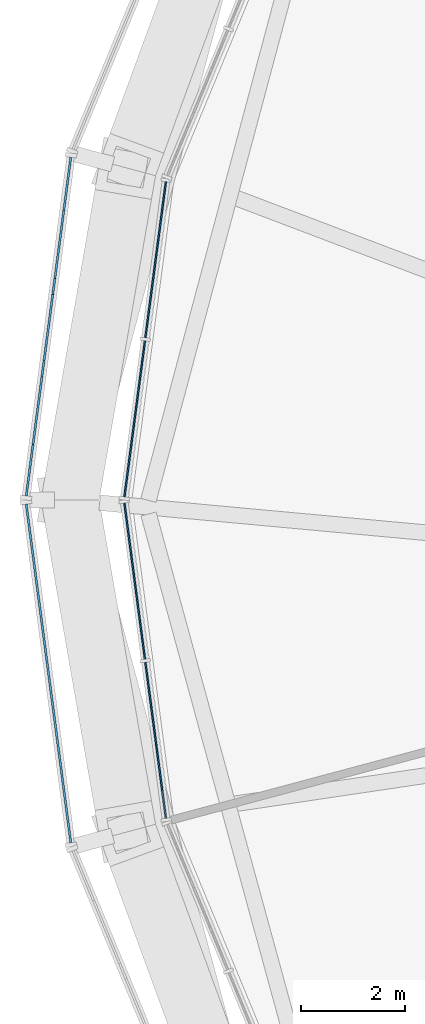
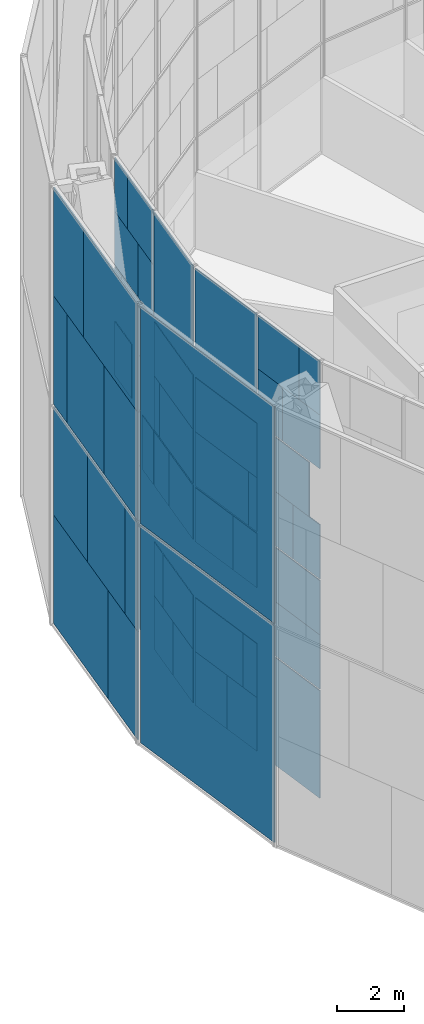
# One storey, part 15 of 28: 61 plates, 4 elements without a shape of their own.
"""IFC4 building model written with IfcOpenShell, lengths in metres."""

import ifcopenshell
import ifcopenshell.guid

model = None  # the IFC model being written
_history = None  # IfcOwnerHistory: only IFC2X3 demands one
_inside = {}  # id of a spatial element -> (the spatial element, [elements in it])
_under = {}  # id of a project, library or spatial element -> (it, [spatial elements below it])
_declared = {}  # id of a project -> (the project, [libraries it declares])
_typed = {}  # id of a type object -> (the type object, [elements of that type])
_made_of = {}  # id of a material, layer set ... -> (it, [elements and type objects made of it])


def new_model(schema):
    """Start an empty IFC model of exactly this schema.

    Asked for "IFC4X3", IfcOpenShell would pick the latest addendum, in which some entities
    have other attributes; the version numbers below select the first issue.
    IFC2X3 requires an IfcOwnerHistory on every rooted entity: one is made here for all.
    """
    global model, _history
    if schema == "IFC4X3":
        model = ifcopenshell.file(schema_version=(4, 3, 0, 0))
    else:
        model = ifcopenshell.file(schema=schema)
    _inside.clear()
    _under.clear()
    _declared.clear()
    _typed.clear()
    _made_of.clear()
    _history = None
    if model.schema == "IFC2X3":
        org = make("IfcOrganization", Name="unknown")
        user = make(
            "IfcPersonAndOrganization",
            ThePerson=make("IfcPerson", FamilyName="unknown"),
            TheOrganization=org,
        )
        app = make(
            "IfcApplication",
            ApplicationDeveloper=org,
            Version="unknown",
            ApplicationFullName="unknown",
            ApplicationIdentifier="unknown",
        )
        _history = make(
            "IfcOwnerHistory",
            OwningUser=user,
            OwningApplication=app,
            ChangeAction="ADDED",
            CreationDate=0,
        )
    return model


def make(cls, **values):
    """One entity of the class cls with the attributes given. An attribute that is None is left unset."""
    return model.create_entity(
        cls, **{name: value for name, value in values.items() if value is not None}
    )


def rooted(cls, **values):
    """An entity with a GlobalId (a new one), such as an element, a storey or a relation."""
    return make(cls, GlobalId=ifcopenshell.guid.new(), OwnerHistory=_history, **values)


def si_unit(unit_type, name, prefix=None):
    """IfcSIUnit, for example si_unit("LENGTHUNIT", "METRE", prefix="MILLI")."""
    return make("IfcSIUnit", UnitType=unit_type, Prefix=prefix, Name=name)


def assignment(units):
    """IfcUnitAssignment: the units of a project."""
    return None if units is None else make("IfcUnitAssignment", Units=units)


def point(xyz):
    """IfcCartesianPoint."""
    return None if xyz is None else make("IfcCartesianPoint", Coordinates=xyz)


def direction(xyz):
    """IfcDirection."""
    return None if xyz is None else make("IfcDirection", DirectionRatios=xyz)


def frame(location, z_axis=None, x_axis=None):
    """IfcAxis2Placement3D, a coordinate frame: its origin and axes. An axis left out is left unset."""
    return make(
        "IfcAxis2Placement3D",
        Location=point(location),
        Axis=direction(z_axis),
        RefDirection=direction(x_axis),
    )


def frame_2d(location, x_axis=None):
    """IfcAxis2Placement2D, a coordinate frame in the plane: its origin and x axis."""
    return make(
        "IfcAxis2Placement2D", Location=point(location), RefDirection=direction(x_axis)
    )


def origin():
    """The frame at (0, 0, 0) with its axes left unset."""
    return frame((0.0, 0.0, 0.0))


def origin_2d():
    """The frame at (0, 0) in the plane with its x axis left unset."""
    return frame_2d((0.0, 0.0))


def place(relative_to, where):
    """IfcLocalPlacement: puts the frame where relative to a parent placement (None: the world)."""
    return make(
        "IfcLocalPlacement", PlacementRelTo=relative_to, RelativePlacement=where
    )


def context(
    kind, dimensions, precision=None, world=None, true_north=None, identifier=None
):
    """IfcGeometricRepresentationContext, for example the 3D "Model" context."""
    return make(
        "IfcGeometricRepresentationContext",
        ContextIdentifier=identifier,
        ContextType=kind,
        CoordinateSpaceDimension=dimensions,
        Precision=precision,
        WorldCoordinateSystem=world,
        TrueNorth=true_north,
    )


def subcontext(parent, identifier, kind, view, scale=None):
    """IfcGeometricRepresentationSubContext, for example "Body" below "Model"."""
    return make(
        "IfcGeometricRepresentationSubContext",
        ContextIdentifier=identifier,
        ContextType=kind,
        ParentContext=parent,
        TargetScale=scale,
        TargetView=view,
    )


def project(units=None, contexts=None):
    """IfcProject with its units and contexts."""
    return rooted(
        "IfcProject",
        Name="project",
        RepresentationContexts=contexts,
        UnitsInContext=assignment(units),
    )


def spatial(cls, under=None, at=None, **own):
    """A site, building, storey or space (cls), placed at a placement, below another one or the project."""
    s = rooted(cls, ObjectPlacement=at, **own)
    if under is not None:
        _under.setdefault(under.id(), (under, []))[1].append(s)
    return s


def profile(cls, at=None, kind="AREA", **sizes):
    """A parametric profile (cls). Its sizes go by their IFC names, for example OverallWidth=200.0."""
    return make(cls, ProfileType=kind, Position=at, **sizes)


def rectangle(**sizes):
    """IfcRectangleProfileDef."""
    return profile("IfcRectangleProfileDef", **sizes)


def extrude(swept, where, along, depth):
    """IfcExtrudedAreaSolid: the profile swept, set in the frame where, extruded along a direction by depth."""
    return make(
        "IfcExtrudedAreaSolid",
        SweptArea=swept,
        Position=where,
        ExtrudedDirection=direction(along),
        Depth=depth,
    )


def shape(context_of_items, identifier, shape_type, items):
    """IfcShapeRepresentation: the items that make up one representation, for example the "Body"."""
    return make(
        "IfcShapeRepresentation",
        ContextOfItems=context_of_items,
        RepresentationIdentifier=identifier,
        RepresentationType=shape_type,
        Items=items,
    )


def material(Name=None, Category=None):
    """IfcMaterial."""
    return make("IfcMaterial", Name=Name, Category=Category)


def layer(
    of_material, thickness, ventilated=None, Name=None, Category=None, Priority=None
):
    """IfcMaterialLayer: one layer of a wall or slab, of a material (None: an air gap)."""
    return make(
        "IfcMaterialLayer",
        Material=of_material,
        LayerThickness=thickness,
        IsVentilated=ventilated,
        Name=Name,
        Category=Category,
        Priority=Priority,
    )


def layer_set(layers, Name=None):
    """IfcMaterialLayerSet."""
    return make("IfcMaterialLayerSet", MaterialLayers=layers, LayerSetName=Name)


def made_of(thing, what):
    """Note that an element or type object is made of a material, layer set ...; save() writes the relation."""
    if what is not None:
        _made_of.setdefault(what.id(), (what, []))[1].append(thing)
    return thing


def type_object(cls, material=None, **own):
    """A type object (cls), such as IfcWallType, which elements share."""
    return made_of(rooted(cls, **own), material)


def element(
    cls,
    number,
    at=None,
    inside=None,
    cuts=None,
    type_object=None,
    material=None,
    context=None,
    identifier="Body",
    shape_type=None,
    held_by="IfcProductDefinitionShape",
    body=None,
    shapes=None,
    **own,
):
    """One element of the class cls, such as IfcWall. Its Tag is "e" and its number.

    at: its placement. inside: the storey or other place that contains it. cuts: it is an
    opening in that element (IfcRelVoidsElement). A single representation is given by context,
    identifier, shape_type and body (its items); several are given by shapes. held_by: the class
    of the entity that holds the representations. save() writes the other relations.
    """
    e = rooted(cls, Tag="e%d" % number, ObjectPlacement=at, **own)
    if body is not None:
        shapes = [shape(context, identifier, shape_type, body)]
    if shapes is not None:
        e.Representation = make(held_by, Representations=shapes)
    if inside is not None:
        _inside.setdefault(inside.id(), (inside, []))[1].append(e)
    if cuts is not None:
        rooted(
            "IfcRelVoidsElement", RelatingBuildingElement=cuts, RelatedOpeningElement=e
        )
    if type_object is not None:
        _typed.setdefault(type_object.id(), (type_object, []))[1].append(e)
    return made_of(e, material)


def aggregate(whole, parts):
    """IfcRelAggregates: a whole, such as a stair, and the parts it consists of."""
    return rooted("IfcRelAggregates", RelatingObject=whole, RelatedObjects=parts)


def save(model, path):
    """Write the relations noted so far, then the file.

    IfcRelAggregates (storeys below a building ...), IfcRelContainedInSpatialStructure (elements
    in a storey), IfcRelDefinesByType, IfcRelAssociatesMaterial and IfcRelDeclares: one each for
    every whole, place, type object, material and project.
    """
    for whole, parts in _under.values():
        aggregate(whole, parts)
    for where, things in _inside.values():
        rooted(
            "IfcRelContainedInSpatialStructure",
            RelatedElements=things,
            RelatingStructure=where,
        )
    for kind, things in _typed.values():
        rooted("IfcRelDefinesByType", RelatedObjects=things, RelatingType=kind)
    for what, things in _made_of.values():
        rooted("IfcRelAssociatesMaterial", RelatedObjects=things, RelatingMaterial=what)
    for by, libraries in _declared.values():
        rooted("IfcRelDeclares", RelatingContext=by, RelatedDefinitions=libraries)
    model.write(path)


model = new_model("IFC4")

# Units and contexts
model_context = context("Model", 3, precision=1e-05, world=origin(), true_north=direction((0.0, 1.0)))
body_context = subcontext(model_context, "Body", "Model", "MODEL_VIEW")
ifc_project = project(units=[si_unit("LENGTHUNIT", "METRE"), si_unit("AREAUNIT", "SQUARE_METRE"), si_unit("VOLUMEUNIT", "CUBIC_METRE"), si_unit("PLANEANGLEUNIT", "RADIAN"), si_unit("MASSUNIT", "GRAM", prefix="KILO")], contexts=[model_context])

# Site, building, storey
site_placement = place(None, origin())
site = spatial("IfcSite", under=ifc_project, at=site_placement, CompositionType="ELEMENT")
building_placement = place(site_placement, origin())
building = spatial("IfcBuilding", under=site, at=building_placement, Name="Golbaran Civic Tower", CompositionType="ELEMENT")
storey_placement = place(building_placement, frame((0.0, 0.0, 183.0)))
storey = spatial("IfcBuildingStorey", under=building, at=storey_placement, Name="L44", CompositionType="ELEMENT", Elevation=183.0)

# Curtain wall, plates
ifc_material_1 = material(Name="Aluminium and glass", Category="aluminium")
curtain_wall_type_1 = type_object("IfcCurtainWallType", Name="INNER SKIN CURTAIN WALL EXECUTIVE", PredefinedType="NOTDEFINED", material=ifc_material_1)
curtain_wall_1_placement = place(storey_placement, origin())
curtain_wall_1 = element("IfcCurtainWall", 1, at=curtain_wall_1_placement, inside=storey, type_object=curtain_wall_type_1, Name="Inner skin L44 facet 12 CW2", ObjectType="INNER SKIN", PredefinedType="USERDEFINED")
ifc_material_2 = material(Name="Clear insulating glass", Category="glass")
ifc_layer_1 = layer(ifc_material_2, 0.031982421875, Name="Clear insulating glass")
ifc_layer_set_1 = layer_set([ifc_layer_1], Name="Clear insulating glass")
plate_type_1 = type_object("IfcPlateType", Name="INNER SKIN CURTAIN WALL EXECUTIVE GLAZED PANEL", PredefinedType="CURTAIN_PANEL", material=ifc_layer_set_1)
plate_1_placement = place(storey_placement, frame((-23.205322265625, 4.607421875, 0.06005859375), z_axis=(0.0, 0.0, 1.0), x_axis=(-0.130526192151, -0.991444861383, 0.0)))
plate_1 = element("IfcPlate", 2, at=plate_1_placement, type_object=plate_type_1, Name="CW2 panel 1.1", PredefinedType="CURTAIN_PANEL", context=body_context, shape_type="SweptSolid", body=[
    extrude(rectangle(XDim=3.01806640625, YDim=0.031982421875, at=origin_2d()), origin(), (0.0, 0.0, 1.0), 3.909912109375),
])
plate_2_placement = place(storey_placement, frame((-23.17919921875, 4.80615234375, 4.02978515625), z_axis=(0.0, 0.0, 1.0), x_axis=(-0.130526192151, -0.991444861383, 0.0)))
plate_2 = element("IfcPlate", 3, at=plate_2_placement, type_object=plate_type_1, Name="CW2 panel 1.2 part 1", PredefinedType="CURTAIN_PANEL", context=body_context, shape_type="SweptSolid", body=[
    extrude(rectangle(XDim=2.616943359375, YDim=0.031982421875, at=origin_2d()), origin(), (0.0, 0.0, 1.0), 1.969970703125),
])
plate_3_placement = place(storey_placement, frame((-23.14794921875, 5.044677734375, 6.0), z_axis=(0.0, 0.0, 1.0), x_axis=(-0.130526192151, -0.991444861383, 0.0)))
plate_3 = element("IfcPlate", 4, at=plate_3_placement, type_object=plate_type_1, Name="CW2 panel 1.2 part 3", PredefinedType="CURTAIN_PANEL", context=body_context, shape_type="SweptSolid", body=[
    extrude(rectangle(XDim=2.135986328125, YDim=0.031982421875, at=origin_2d()), origin(), (0.0, 0.0, 1.0), 1.969970703125),
])
plate_4_placement = place(storey_placement, frame((-23.094482421875, 5.45068359375, 8.02978515625), z_axis=(0.0, 0.0, 1.0), x_axis=(-0.130526192151, -0.991444861383, 0.0)))
plate_4 = element("IfcPlate", 5, at=plate_4_placement, type_object=plate_type_1, Name="CW2 panel 1.3 part 1", PredefinedType="CURTAIN_PANEL", context=body_context, shape_type="SweptSolid", body=[
    extrude(rectangle(XDim=1.31689453125, YDim=0.031982421875, at=origin_2d()), origin(), (0.0, 0.0, 1.0), 1.969970703125),
])
plate_5_placement = place(storey_placement, frame((-23.04248046875, 5.84423828125, 10.0), z_axis=(0.0, 0.0, 1.0), x_axis=(-0.130526192151, -0.991444861383, 0.0)))
plate_5 = element("IfcPlate", 6, at=plate_5_placement, type_object=plate_type_1, Name="CW2 panel 1.3 part 3", PredefinedType="CURTAIN_PANEL", context=body_context, shape_type="SweptSolid", body=[
    extrude(rectangle(XDim=0.52294921875, YDim=0.031982421875, at=origin_2d()), origin(), (0.0, 0.0, 1.0), 1.969970703125),
])
plate_6_placement = place(storey_placement, frame((-23.323486328125, 3.710205078125, 12.030029296875), z_axis=(0.0, 0.0, 1.0), x_axis=(-0.130526192151, -0.991444861383, 0.0)))
plate_6 = element("IfcPlate", 7, at=plate_6_placement, type_object=plate_type_1, Name="CW2 panel 1.4 part 2", PredefinedType="CURTAIN_PANEL", context=body_context, shape_type="SweptSolid", body=[
    extrude(rectangle(XDim=1.2080078125, YDim=0.031982421875, at=origin_2d()), origin(), (0.0, 0.0, 1.0), 1.955078125),
])
plate_7_placement = place(storey_placement, frame((-23.272216796875, 4.100830078125, 13.98486328125), z_axis=(0.0, 0.0, 1.0), x_axis=(-0.130526192151, -0.991444861383, 0.0)))
plate_7 = element("IfcPlate", 8, at=plate_7_placement, type_object=plate_type_1, Name="CW2 panel 1.4 part 4", PredefinedType="CURTAIN_PANEL", context=body_context, shape_type="SweptSolid", body=[
    extrude(rectangle(XDim=1.99609375, YDim=0.031982421875, at=origin_2d()), origin(), (0.0, 0.0, 1.0), 1.955078125),
])
plate_8_placement = place(storey_placement, frame((-23.50537109375, 2.32861328125, 0.06005859375), z_axis=(0.0, 0.0, 1.0), x_axis=(-0.130526192151, -0.991444861383, 0.0)))
plate_8 = element("IfcPlate", 9, at=plate_8_placement, type_object=plate_type_1, Name="CW2 panel 2.1 part 1", PredefinedType="CURTAIN_PANEL", context=body_context, shape_type="SweptSolid", body=[
    extrude(rectangle(XDim=1.458984375, YDim=0.031982421875, at=origin_2d()), origin(), (0.0, 0.0, 1.0), 1.955078125),
])
plate_9_placement = place(storey_placement, frame((-23.453857421875, 2.7197265625, 2.014892578125), z_axis=(0.0, 0.0, 1.0), x_axis=(-0.130526192151, -0.991444861383, 0.0)))
plate_9 = element("IfcPlate", 10, at=plate_9_placement, type_object=plate_type_1, Name="CW2 panel 2.1 part 3", PredefinedType="CURTAIN_PANEL", context=body_context, shape_type="SweptSolid", body=[
    extrude(rectangle(XDim=0.669921875, YDim=0.031982421875, at=origin_2d()), origin(), (0.0, 0.0, 1.0), 1.955078125),
])
plate_10_placement = place(storey_placement, frame((-23.73486328125, 0.5849609375, 4.02978515625), z_axis=(0.0, 0.0, 1.0), x_axis=(-0.130526192151, -0.991444861383, 0.0)))
plate_10 = element("IfcPlate", 11, at=plate_10_placement, type_object=plate_type_1, Name="CW2 panel 2.2 part 2", PredefinedType="CURTAIN_PANEL", context=body_context, shape_type="SweptSolid", body=[
    extrude(rectangle(XDim=1.06005859375, YDim=0.031982421875, at=origin_2d()), origin(), (0.0, 0.0, 1.0), 1.969970703125),
])
plate_11_placement = place(storey_placement, frame((-23.68310546875, 0.97900390625, 6.0), z_axis=(0.0, 0.0, 1.0), x_axis=(-0.130526192151, -0.991444861383, 0.0)))
plate_11 = element("IfcPlate", 12, at=plate_11_placement, type_object=plate_type_1, Name="CW2 panel 2.2 part 4", PredefinedType="CURTAIN_PANEL", context=body_context, shape_type="SweptSolid", body=[
    extrude(rectangle(XDim=1.85498046875, YDim=0.031982421875, at=origin_2d()), origin(), (0.0, 0.0, 1.0), 1.969970703125),
])
plate_12_placement = place(storey_placement, frame((-23.63330078125, 1.35693359375, 8.02978515625), z_axis=(0.0, 0.0, 1.0), x_axis=(-0.130526192151, -0.991444861383, 0.0)))
plate_12 = element("IfcPlate", 13, at=plate_12_placement, type_object=plate_type_1, Name="CW2 panel 2.3 part 2", PredefinedType="CURTAIN_PANEL", context=body_context, shape_type="SweptSolid", body=[
    extrude(rectangle(XDim=2.6171875, YDim=0.031982421875, at=origin_2d()), origin(), (0.0, 0.0, 1.0), 1.969970703125),
])
plate_13_placement = place(storey_placement, frame((-23.607177734375, 1.5556640625, 10.0), z_axis=(0.0, 0.0, 1.0), x_axis=(-0.130526192151, -0.991444861383, 0.0)))
plate_13 = element("IfcPlate", 14, at=plate_13_placement, type_object=plate_type_1, Name="CW2 panel 2.3 part 3", PredefinedType="CURTAIN_PANEL", context=body_context, shape_type="SweptSolid", body=[
    extrude(rectangle(XDim=3.01806640625, YDim=0.031982421875, at=origin_2d()), origin(), (0.0, 0.0, 1.0), 1.969970703125),
])
plate_14_placement = place(storey_placement, frame((-23.607177734375, 1.5556640625, 12.0302734375), z_axis=(0.0, 0.0, 1.0), x_axis=(-0.130526192151, -0.991444861383, 0.0)))
plate_14 = element("IfcPlate", 15, at=plate_14_placement, type_object=plate_type_1, Name="CW2 panel 2.4", PredefinedType="CURTAIN_PANEL", context=body_context, shape_type="SweptSolid", body=[
    extrude(rectangle(XDim=3.01806640625, YDim=0.031982421875, at=origin_2d()), origin(), (0.0, 0.0, 1.0), 3.909912109375),
])

curtain_wall_2_placement = place(storey_placement, origin())
curtain_wall_2 = element("IfcCurtainWall", 16, at=curtain_wall_2_placement, inside=storey, type_object=curtain_wall_type_1, Name="Inner skin L44 facet 13 CW2", ObjectType="INNER SKIN", PredefinedType="USERDEFINED")
plate_15_placement = place(storey_placement, frame((-23.50537109375, -2.328369140625, 0.06005859375), z_axis=(0.0, 0.0, 1.0), x_axis=(0.130526192151, -0.991444861383, 0.0)))
plate_15 = element("IfcPlate", 17, at=plate_15_placement, type_object=plate_type_1, Name="CW2 panel 1.1 part 2", PredefinedType="CURTAIN_PANEL", context=body_context, shape_type="SweptSolid", body=[
    extrude(rectangle(XDim=1.458984375, YDim=0.031982421875, at=origin_2d()), origin(), (0.0, 0.0, 1.0), 1.955078125),
])
plate_16_placement = place(storey_placement, frame((-23.453857421875, -2.719482421875, 2.014892578125), z_axis=(0.0, 0.0, 1.0), x_axis=(0.130526192151, -0.991444861383, 0.0)))
plate_16 = element("IfcPlate", 18, at=plate_16_placement, type_object=plate_type_1, Name="CW2 panel 1.1 part 4", PredefinedType="CURTAIN_PANEL", context=body_context, shape_type="SweptSolid", body=[
    extrude(rectangle(XDim=0.670166015625, YDim=0.031982421875, at=origin_2d()), origin(), (0.0, 0.0, 1.0), 1.955078125),
])
plate_17_placement = place(storey_placement, frame((-23.735107421875, -0.5849609375, 4.02978515625), z_axis=(0.0, 0.0, 1.0), x_axis=(0.130526192151, -0.991444861383, 0.0)))
plate_17 = element("IfcPlate", 19, at=plate_17_placement, type_object=plate_type_1, Name="CW2 panel 1.2 part 1", PredefinedType="CURTAIN_PANEL", context=body_context, shape_type="SweptSolid", body=[
    extrude(rectangle(XDim=1.06005859375, YDim=0.031982421875, at=origin_2d()), origin(), (0.0, 0.0, 1.0), 1.969970703125),
])
plate_18_placement = place(storey_placement, frame((-23.68310546875, -0.97900390625, 6.0), z_axis=(0.0, 0.0, 1.0), x_axis=(0.130526192151, -0.991444861383, 0.0)))
plate_18 = element("IfcPlate", 20, at=plate_18_placement, type_object=plate_type_1, Name="CW2 panel 1.2 part 3", PredefinedType="CURTAIN_PANEL", context=body_context, shape_type="SweptSolid", body=[
    extrude(rectangle(XDim=1.85498046875, YDim=0.031982421875, at=origin_2d()), origin(), (0.0, 0.0, 1.0), 1.969970703125),
])
plate_19_placement = place(storey_placement, frame((-23.63330078125, -1.356689453125, 8.02978515625), z_axis=(0.0, 0.0, 1.0), x_axis=(0.130526192151, -0.991444861383, 0.0)))
plate_19 = element("IfcPlate", 21, at=plate_19_placement, type_object=plate_type_1, Name="CW2 panel 1.3 part 1", PredefinedType="CURTAIN_PANEL", context=body_context, shape_type="SweptSolid", body=[
    extrude(rectangle(XDim=2.616943359375, YDim=0.031982421875, at=origin_2d()), origin(), (0.0, 0.0, 1.0), 1.969970703125),
])
plate_20_placement = place(storey_placement, frame((-23.607177734375, -1.5556640625, 10.0), z_axis=(0.0, 0.0, 1.0), x_axis=(0.130526192151, -0.991444861383, 0.0)))
plate_20 = element("IfcPlate", 22, at=plate_20_placement, type_object=plate_type_1, Name="CW2 panel 1.3 part 3", PredefinedType="CURTAIN_PANEL", context=body_context, shape_type="SweptSolid", body=[
    extrude(rectangle(XDim=3.01806640625, YDim=0.031982421875, at=origin_2d()), origin(), (0.0, 0.0, 1.0), 1.969970703125),
])
plate_21_placement = place(storey_placement, frame((-23.607177734375, -1.5556640625, 12.0302734375), z_axis=(0.0, 0.0, 1.0), x_axis=(0.130526192151, -0.991444861383, 0.0)))
plate_21 = element("IfcPlate", 23, at=plate_21_placement, type_object=plate_type_1, Name="CW2 panel 1.4", PredefinedType="CURTAIN_PANEL", context=body_context, shape_type="SweptSolid", body=[
    extrude(rectangle(XDim=3.01806640625, YDim=0.031982421875, at=origin_2d()), origin(), (0.0, 0.0, 1.0), 3.909912109375),
])
plate_22_placement = place(storey_placement, frame((-23.205322265625, -4.607421875, 0.06005859375), z_axis=(0.0, 0.0, 1.0), x_axis=(0.130526192151, -0.991444861383, 0.0)))
plate_22 = element("IfcPlate", 24, at=plate_22_placement, type_object=plate_type_1, Name="CW2 panel 2.1", PredefinedType="CURTAIN_PANEL", context=body_context, shape_type="SweptSolid", body=[
    extrude(rectangle(XDim=3.01806640625, YDim=0.031982421875, at=origin_2d()), origin(), (0.0, 0.0, 1.0), 3.909912109375),
])
plate_23_placement = place(storey_placement, frame((-23.179443359375, -4.8056640625, 4.02978515625), z_axis=(0.0, 0.0, 1.0), x_axis=(0.130526192151, -0.991444861383, 0.0)))
plate_23 = element("IfcPlate", 25, at=plate_23_placement, type_object=plate_type_1, Name="CW2 panel 2.2 part 2", PredefinedType="CURTAIN_PANEL", context=body_context, shape_type="SweptSolid", body=[
    extrude(rectangle(XDim=2.6181640625, YDim=0.031982421875, at=origin_2d()), origin(), (0.0, 0.0, 1.0), 1.969970703125),
])
plate_24_placement = place(storey_placement, frame((-23.14794921875, -5.044677734375, 6.0), z_axis=(0.0, 0.0, 1.0), x_axis=(0.130526192151, -0.991444861383, 0.0)))
plate_24 = element("IfcPlate", 26, at=plate_24_placement, type_object=plate_type_1, Name="CW2 panel 2.2 part 4", PredefinedType="CURTAIN_PANEL", context=body_context, shape_type="SweptSolid", body=[
    extrude(rectangle(XDim=2.135986328125, YDim=0.031982421875, at=origin_2d()), origin(), (0.0, 0.0, 1.0), 1.969970703125),
])
plate_25_placement = place(storey_placement, frame((-23.094482421875, -5.45068359375, 8.02978515625), z_axis=(0.0, 0.0, 1.0), x_axis=(0.130526192151, -0.991444861383, 0.0)))
plate_25 = element("IfcPlate", 27, at=plate_25_placement, type_object=plate_type_1, Name="CW2 panel 2.3 part 2", PredefinedType="CURTAIN_PANEL", context=body_context, shape_type="SweptSolid", body=[
    extrude(rectangle(XDim=1.317138671875, YDim=0.031982421875, at=origin_2d()), origin(), (0.0, 0.0, 1.0), 1.969970703125),
])
plate_26_placement = place(storey_placement, frame((-23.323486328125, -3.7099609375, 12.030029296875), z_axis=(0.0, 0.0, 1.0), x_axis=(0.130526192151, -0.991444861383, 0.0)))
plate_26 = element("IfcPlate", 28, at=plate_26_placement, type_object=plate_type_1, Name="CW2 panel 2.4 part 1", PredefinedType="CURTAIN_PANEL", context=body_context, shape_type="SweptSolid", body=[
    extrude(rectangle(XDim=1.2080078125, YDim=0.031982421875, at=origin_2d()), origin(), (0.0, 0.0, 1.0), 1.955078125),
])
plate_27_placement = place(storey_placement, frame((-23.272216796875, -4.1005859375, 13.98486328125), z_axis=(0.0, 0.0, 1.0), x_axis=(0.130526192151, -0.991444861383, 0.0)))
plate_27 = element("IfcPlate", 29, at=plate_27_placement, type_object=plate_type_1, Name="CW2 panel 2.4 part 3", PredefinedType="CURTAIN_PANEL", context=body_context, shape_type="SweptSolid", body=[
    extrude(rectangle(XDim=1.99609375, YDim=0.031982421875, at=origin_2d()), origin(), (0.0, 0.0, 1.0), 1.955078125),
])

# Plate
ifc_material_3 = material(Name="Aluminium faced opaque infill panel", Category="aluminium")
ifc_layer_2 = layer(ifc_material_3, 0.031982421875, Name="Aluminium faced opaque infill panel")
ifc_layer_set_2 = layer_set([ifc_layer_2], Name="Aluminium faced opaque infill panel")
plate_type_2 = type_object("IfcPlateType", Name="INNER SKIN CURTAIN WALL EXECUTIVE OPAQUE INFILL PANEL", PredefinedType="CURTAIN_PANEL", material=ifc_layer_set_2)
plate_28_placement = place(storey_placement, frame((-23.376220703125, 3.31005859375, 4.02978515625), z_axis=(0.0, 0.0, 1.0), x_axis=(-0.130526192151, -0.991444861383, 0.0)))
plate_28 = element("IfcPlate", 30, at=plate_28_placement, type_object=plate_type_2, Name="CW2 infill panel 1.2 part 2", PredefinedType="CURTAIN_PANEL", context=body_context, shape_type="SweptSolid", body=[
    extrude(rectangle(XDim=0.401123046875, YDim=0.031982421875, at=origin_2d()), origin(), (0.0, 0.0, 1.0), 1.969970703125),
])

plate_29_placement = place(storey_placement, frame((-23.3447265625, 3.548583984375, 6.0), z_axis=(0.0, 0.0, 1.0), x_axis=(-0.130526192151, -0.991444861383, 0.0)))
plate_29 = element("IfcPlate", 31, at=plate_29_placement, type_object=plate_type_2, Name="CW2 infill panel 1.2 part 4", PredefinedType="CURTAIN_PANEL", context=body_context, shape_type="SweptSolid", body=[
    extrude(rectangle(XDim=0.882080078125, YDim=0.031982421875, at=origin_2d()), origin(), (0.0, 0.0, 1.0), 1.969970703125),
])

plate_30_placement = place(storey_placement, frame((-23.291259765625, 3.95458984375, 8.02978515625), z_axis=(0.0, 0.0, 1.0), x_axis=(-0.130526192151, -0.991444861383, 0.0)))
plate_30 = element("IfcPlate", 32, at=plate_30_placement, type_object=plate_type_2, Name="CW2 infill panel 1.3 part 2", PredefinedType="CURTAIN_PANEL", context=body_context, shape_type="SweptSolid", body=[
    extrude(rectangle(XDim=1.701171875, YDim=0.031982421875, at=origin_2d()), origin(), (0.0, 0.0, 1.0), 1.969970703125),
])

plate_31_placement = place(storey_placement, frame((-23.239501953125, 4.34814453125, 10.0), z_axis=(0.0, 0.0, 1.0), x_axis=(-0.130526192151, -0.991444861383, 0.0)))
plate_31 = element("IfcPlate", 33, at=plate_31_placement, type_object=plate_type_2, Name="CW2 infill panel 1.3 part 4", PredefinedType="CURTAIN_PANEL", context=body_context, shape_type="SweptSolid", body=[
    extrude(rectangle(XDim=2.4951171875, YDim=0.031982421875, at=origin_2d()), origin(), (0.0, 0.0, 1.0), 1.969970703125),
])

plate_32_placement = place(storey_placement, frame((-23.12646484375, 5.206298828125, 12.030029296875), z_axis=(0.0, 0.0, 1.0), x_axis=(-0.130526192151, -0.991444861383, 0.0)))
plate_32 = element("IfcPlate", 34, at=plate_32_placement, type_object=plate_type_2, Name="CW2 infill panel 1.4 part 1", PredefinedType="CURTAIN_PANEL", context=body_context, shape_type="SweptSolid", body=[
    extrude(rectangle(XDim=1.81005859375, YDim=0.031982421875, at=origin_2d()), origin(), (0.0, 0.0, 1.0), 1.955078125),
])

plate_33_placement = place(storey_placement, frame((-23.0751953125, 5.596923828125, 13.98486328125), z_axis=(0.0, 0.0, 1.0), x_axis=(-0.130526192151, -0.991444861383, 0.0)))
plate_33 = element("IfcPlate", 35, at=plate_33_placement, type_object=plate_type_2, Name="CW2 infill panel 1.4 part 3", PredefinedType="CURTAIN_PANEL", context=body_context, shape_type="SweptSolid", body=[
    extrude(rectangle(XDim=1.02197265625, YDim=0.031982421875, at=origin_2d()), origin(), (0.0, 0.0, 1.0), 1.955078125),
])

plate_34_placement = place(storey_placement, frame((-23.702392578125, 0.832275390625, 0.06005859375), z_axis=(0.0, 0.0, 1.0), x_axis=(-0.130526192151, -0.991444861383, 0.0)))
plate_34 = element("IfcPlate", 36, at=plate_34_placement, type_object=plate_type_2, Name="CW2 infill panel 2.1 part 2", PredefinedType="CURTAIN_PANEL", context=body_context, shape_type="SweptSolid", body=[
    extrude(rectangle(XDim=1.55908203125, YDim=0.031982421875, at=origin_2d()), origin(), (0.0, 0.0, 1.0), 1.955078125),
])

plate_35_placement = place(storey_placement, frame((-23.65087890625, 1.223388671875, 2.014892578125), z_axis=(0.0, 0.0, 1.0), x_axis=(-0.130526192151, -0.991444861383, 0.0)))
plate_35 = element("IfcPlate", 37, at=plate_35_placement, type_object=plate_type_2, Name="CW2 infill panel 2.1 part 4", PredefinedType="CURTAIN_PANEL", context=body_context, shape_type="SweptSolid", body=[
    extrude(rectangle(XDim=2.34814453125, YDim=0.031982421875, at=origin_2d()), origin(), (0.0, 0.0, 1.0), 1.955078125),
])

plate_36_placement = place(storey_placement, frame((-23.5380859375, 2.0810546875, 4.02978515625), z_axis=(0.0, 0.0, 1.0), x_axis=(-0.130526192151, -0.991444861383, 0.0)))
plate_36 = element("IfcPlate", 38, at=plate_36_placement, type_object=plate_type_2, Name="CW2 infill panel 2.2 part 1", PredefinedType="CURTAIN_PANEL", context=body_context, shape_type="SweptSolid", body=[
    extrude(rectangle(XDim=1.9580078125, YDim=0.031982421875, at=origin_2d()), origin(), (0.0, 0.0, 1.0), 1.969970703125),
])

plate_37_placement = place(storey_placement, frame((-23.486083984375, 2.475341796875, 6.0), z_axis=(0.0, 0.0, 1.0), x_axis=(-0.130526192151, -0.991444861383, 0.0)))
plate_37 = element("IfcPlate", 39, at=plate_37_placement, type_object=plate_type_2, Name="CW2 infill panel 2.2 part 3", PredefinedType="CURTAIN_PANEL", context=body_context, shape_type="SweptSolid", body=[
    extrude(rectangle(XDim=1.1630859375, YDim=0.031982421875, at=origin_2d()), origin(), (0.0, 0.0, 1.0), 1.969970703125),
])

plate_38_placement = place(storey_placement, frame((-23.436279296875, 2.85302734375, 8.02978515625), z_axis=(0.0, 0.0, 1.0), x_axis=(-0.130526192151, -0.991444861383, 0.0)))
plate_38 = element("IfcPlate", 40, at=plate_38_placement, type_object=plate_type_2, Name="CW2 infill panel 2.3 part 1", PredefinedType="CURTAIN_PANEL", context=body_context, shape_type="SweptSolid", body=[
    extrude(rectangle(XDim=0.40087890625, YDim=0.031982421875, at=origin_2d()), origin(), (0.0, 0.0, 1.0), 1.969970703125),
])

aggregate(curtain_wall_1, [plate_1, plate_2, plate_28, plate_3, plate_29, plate_4, plate_30, plate_5, plate_31, plate_32, plate_6, plate_33, plate_7, plate_8, plate_34, plate_9, plate_35, plate_36, plate_10, plate_37, plate_11, plate_38, plate_12, plate_13, plate_14])

plate_39_placement = place(storey_placement, frame((-23.702392578125, -0.832275390625, 0.06005859375), z_axis=(0.0, 0.0, 1.0), x_axis=(0.130526192151, -0.991444861383, 0.0)))
plate_39 = element("IfcPlate", 41, at=plate_39_placement, type_object=plate_type_2, Name="CW2 infill panel 1.1 part 1", PredefinedType="CURTAIN_PANEL", context=body_context, shape_type="SweptSolid", body=[
    extrude(rectangle(XDim=1.55908203125, YDim=0.031982421875, at=origin_2d()), origin(), (0.0, 0.0, 1.0), 1.955078125),
])

plate_40_placement = place(storey_placement, frame((-23.65087890625, -1.223388671875, 2.014892578125), z_axis=(0.0, 0.0, 1.0), x_axis=(0.130526192151, -0.991444861383, 0.0)))
plate_40 = element("IfcPlate", 42, at=plate_40_placement, type_object=plate_type_2, Name="CW2 infill panel 1.1 part 3", PredefinedType="CURTAIN_PANEL", context=body_context, shape_type="SweptSolid", body=[
    extrude(rectangle(XDim=2.347900390625, YDim=0.031982421875, at=origin_2d()), origin(), (0.0, 0.0, 1.0), 1.955078125),
])

plate_41_placement = place(storey_placement, frame((-23.5380859375, -2.0810546875, 4.02978515625), z_axis=(0.0, 0.0, 1.0), x_axis=(0.130526192151, -0.991444861383, 0.0)))
plate_41 = element("IfcPlate", 43, at=plate_41_placement, type_object=plate_type_2, Name="CW2 infill panel 1.2 part 2", PredefinedType="CURTAIN_PANEL", context=body_context, shape_type="SweptSolid", body=[
    extrude(rectangle(XDim=1.9580078125, YDim=0.031982421875, at=origin_2d()), origin(), (0.0, 0.0, 1.0), 1.969970703125),
])

plate_42_placement = place(storey_placement, frame((-23.486083984375, -2.47509765625, 6.0), z_axis=(0.0, 0.0, 1.0), x_axis=(0.130526192151, -0.991444861383, 0.0)))
plate_42 = element("IfcPlate", 44, at=plate_42_placement, type_object=plate_type_2, Name="CW2 infill panel 1.2 part 4", PredefinedType="CURTAIN_PANEL", context=body_context, shape_type="SweptSolid", body=[
    extrude(rectangle(XDim=1.1630859375, YDim=0.031982421875, at=origin_2d()), origin(), (0.0, 0.0, 1.0), 1.969970703125),
])

plate_43_placement = place(storey_placement, frame((-23.4365234375, -2.85302734375, 8.02978515625), z_axis=(0.0, 0.0, 1.0), x_axis=(0.130526192151, -0.991444861383, 0.0)))
plate_43 = element("IfcPlate", 45, at=plate_43_placement, type_object=plate_type_2, Name="CW2 infill panel 1.3 part 2", PredefinedType="CURTAIN_PANEL", context=body_context, shape_type="SweptSolid", body=[
    extrude(rectangle(XDim=0.401123046875, YDim=0.031982421875, at=origin_2d()), origin(), (0.0, 0.0, 1.0), 1.969970703125),
])

plate_44_placement = place(storey_placement, frame((-23.376220703125, -3.3095703125, 4.02978515625), z_axis=(0.0, 0.0, 1.0), x_axis=(0.130526192151, -0.991444861383, 0.0)))
plate_44 = element("IfcPlate", 46, at=plate_44_placement, type_object=plate_type_2, Name="CW2 infill panel 2.2 part 1", PredefinedType="CURTAIN_PANEL", context=body_context, shape_type="SweptSolid", body=[
    extrude(rectangle(XDim=0.39990234375, YDim=0.031982421875, at=origin_2d()), origin(), (0.0, 0.0, 1.0), 1.969970703125),
])

plate_45_placement = place(storey_placement, frame((-23.3447265625, -3.548583984375, 6.0), z_axis=(0.0, 0.0, 1.0), x_axis=(0.130526192151, -0.991444861383, 0.0)))
plate_45 = element("IfcPlate", 47, at=plate_45_placement, type_object=plate_type_2, Name="CW2 infill panel 2.2 part 3", PredefinedType="CURTAIN_PANEL", context=body_context, shape_type="SweptSolid", body=[
    extrude(rectangle(XDim=0.882080078125, YDim=0.031982421875, at=origin_2d()), origin(), (0.0, 0.0, 1.0), 1.969970703125),
])

plate_46_placement = place(storey_placement, frame((-23.29150390625, -3.954345703125, 8.02978515625), z_axis=(0.0, 0.0, 1.0), x_axis=(0.130526192151, -0.991444861383, 0.0)))
plate_46 = element("IfcPlate", 48, at=plate_46_placement, type_object=plate_type_2, Name="CW2 infill panel 2.3 part 1", PredefinedType="CURTAIN_PANEL", context=body_context, shape_type="SweptSolid", body=[
    extrude(rectangle(XDim=1.700927734375, YDim=0.031982421875, at=origin_2d()), origin(), (0.0, 0.0, 1.0), 1.969970703125),
])

plate_47_placement = place(storey_placement, frame((-23.239501953125, -4.34814453125, 10.0), z_axis=(0.0, 0.0, 1.0), x_axis=(0.130526192151, -0.991444861383, 0.0)))
plate_47 = element("IfcPlate", 49, at=plate_47_placement, type_object=plate_type_2, Name="CW2 infill panel 2.3 part 3", PredefinedType="CURTAIN_PANEL", context=body_context, shape_type="SweptSolid", body=[
    extrude(rectangle(XDim=2.4951171875, YDim=0.031982421875, at=origin_2d()), origin(), (0.0, 0.0, 1.0), 1.969970703125),
])

plate_48_placement = place(storey_placement, frame((-23.126708984375, -5.206298828125, 12.030029296875), z_axis=(0.0, 0.0, 1.0), x_axis=(0.130526192151, -0.991444861383, 0.0)))
plate_48 = element("IfcPlate", 50, at=plate_48_placement, type_object=plate_type_2, Name="CW2 infill panel 2.4 part 2", PredefinedType="CURTAIN_PANEL", context=body_context, shape_type="SweptSolid", body=[
    extrude(rectangle(XDim=1.81005859375, YDim=0.031982421875, at=origin_2d()), origin(), (0.0, 0.0, 1.0), 1.955078125),
])

plate_49_placement = place(storey_placement, frame((-23.0751953125, -5.596923828125, 13.98486328125), z_axis=(0.0, 0.0, 1.0), x_axis=(0.130526192151, -0.991444861383, 0.0)))
plate_49 = element("IfcPlate", 51, at=plate_49_placement, type_object=plate_type_2, Name="CW2 infill panel 2.4 part 4", PredefinedType="CURTAIN_PANEL", context=body_context, shape_type="SweptSolid", body=[
    extrude(rectangle(XDim=1.02197265625, YDim=0.031982421875, at=origin_2d()), origin(), (0.0, 0.0, 1.0), 1.955078125),
])

aggregate(curtain_wall_2, [plate_39, plate_15, plate_40, plate_16, plate_17, plate_41, plate_18, plate_42, plate_19, plate_43, plate_20, plate_21, plate_22, plate_44, plate_23, plate_45, plate_24, plate_46, plate_25, plate_47, plate_26, plate_48, plate_27, plate_49])

# Curtain wall, plates
curtain_wall_type_2 = type_object("IfcCurtainWallType", Name="OUTER SKIN TERRACOTTA SCREEN", PredefinedType="NOTDEFINED", material=ifc_material_1)
curtain_wall_3_placement = place(storey_placement, origin())
curtain_wall_3 = element("IfcCurtainWall", 52, at=curtain_wall_3_placement, inside=storey, type_object=curtain_wall_type_2, Name="Outer skin L44 facet 12 CW3", ObjectType="OUTER SKIN", PredefinedType="USERDEFINED")
ifc_material_4 = material(Name="Clear laminated glass", Category="glass")
ifc_layer_3 = layer(ifc_material_4, 0.0400390625, Name="Clear laminated glass")
ifc_layer_set_3 = layer_set([ifc_layer_3], Name="Clear laminated glass")
plate_type_3 = type_object("IfcPlateType", Name="OUTER SKIN CLEAR GLASS PANEL", PredefinedType="CURTAIN_PANEL", material=ifc_layer_set_3)
plate_50_placement = place(storey_placement, frame((-25.108642578125, 4.46923828125, -0.6298828125), z_axis=(0.0, 0.0, 1.0), x_axis=(-0.130526192237, -0.991444861372, 0.0)))
plate_50 = element("IfcPlate", 53, at=plate_50_placement, type_object=plate_type_3, Name="CW3 panel 1.1 part 1", PredefinedType="CURTAIN_PANEL", context=body_context, shape_type="SweptSolid", body=[
    extrude(rectangle(XDim=4.240966796875, YDim=0.0400390625, at=origin_2d()), origin(), (0.0, 0.0, 1.0), 3.93994140625),
])
plate_51_placement = place(storey_placement, frame((-25.0048828125, 5.2568359375, 3.31005859375), z_axis=(0.0, 0.0, 1.0), x_axis=(-0.130526192237, -0.991444861372, 0.0)))
plate_51 = element("IfcPlate", 54, at=plate_51_placement, type_object=plate_type_3, Name="CW3 panel 1.1 part 3", PredefinedType="CURTAIN_PANEL", context=body_context, shape_type="SweptSolid", body=[
    extrude(rectangle(XDim=2.652099609375, YDim=0.0400390625, at=origin_2d()), origin(), (0.0, 0.0, 1.0), 3.93994140625),
])
plate_52_placement = place(storey_placement, frame((-25.62158203125, 0.5732421875, 3.31005859375), z_axis=(0.0, 0.0, 1.0), x_axis=(-0.130526192237, -0.991444861372, 0.0)))
plate_52 = element("IfcPlate", 55, at=plate_52_placement, type_object=plate_type_3, Name="CW3 panel 1.1 part 5", PredefinedType="CURTAIN_PANEL", context=body_context, shape_type="SweptSolid", body=[
    extrude(rectangle(XDim=0.996337890625, YDim=0.0400390625, at=origin_2d()), origin(), (0.0, 0.0, 1.0), 3.93994140625),
])
plate_53_placement = place(storey_placement, frame((-24.899169921875, 6.060546875, 7.330078125), z_axis=(0.0, 0.0, 1.0), x_axis=(-0.130526192237, -0.991444861372, 0.0)))
plate_53 = element("IfcPlate", 56, at=plate_53_placement, type_object=plate_type_3, Name="CW3 panel 1.2 part 1", PredefinedType="CURTAIN_PANEL", context=body_context, shape_type="SweptSolid", body=[
    extrude(rectangle(XDim=1.031005859375, YDim=0.0400390625, at=origin_2d()), origin(), (0.0, 0.0, 1.0), 3.93994140625),
])
plate_54_placement = place(storey_placement, frame((-25.515869140625, 1.376708984375, 7.330078125), z_axis=(0.0, 0.0, 1.0), x_axis=(-0.130526192237, -0.991444861372, 0.0)))
plate_54 = element("IfcPlate", 57, at=plate_54_placement, type_object=plate_type_3, Name="CW3 panel 1.2 part 3", PredefinedType="CURTAIN_PANEL", context=body_context, shape_type="SweptSolid", body=[
    extrude(rectangle(XDim=2.6171875, YDim=0.0400390625, at=origin_2d()), origin(), (0.0, 0.0, 1.0), 3.93994140625),
])
plate_55_placement = place(storey_placement, frame((-25.411865234375, 2.16552734375, 11.27001953125), z_axis=(0.0, 0.0, 1.0), x_axis=(-0.130526192237, -0.991444861372, 0.0)))
plate_55 = element("IfcPlate", 58, at=plate_55_placement, type_object=plate_type_3, Name="CW3 panel 1.2 part 5", PredefinedType="CURTAIN_PANEL", context=body_context, shape_type="SweptSolid", body=[
    extrude(rectangle(XDim=4.208251953125, YDim=0.0400390625, at=origin_2d()), origin(), (0.0, 0.0, 1.0), 3.93994140625),
])
ifc_material_5 = material(Name="Terracotta baguette screen", Category="masonry")
ifc_layer_4 = layer(ifc_material_5, 0.0400390625, Name="Terracotta baguette screen")
ifc_layer_set_4 = layer_set([ifc_layer_4], Name="Terracotta baguette screen")
plate_type_4 = type_object("IfcPlateType", Name="OUTER SKIN TERRACOTTA INFILL PANEL", PredefinedType="CURTAIN_PANEL", material=ifc_layer_set_4)
plate_56_placement = place(storey_placement, frame((-25.535888671875, 1.22314453125, -0.6298828125), z_axis=(0.0, 0.0, 1.0), x_axis=(-0.130526192237, -0.991444861372, 0.0)))
plate_56 = element("IfcPlate", 59, at=plate_56_placement, type_object=plate_type_4, Name="CW3 infill panel 1.1 part 2", PredefinedType="CURTAIN_PANEL", context=body_context, shape_type="SweptSolid", body=[
    extrude(rectangle(XDim=2.307373046875, YDim=0.0400390625, at=origin_2d()), origin(), (0.0, 0.0, 1.0), 3.93994140625),
])
plate_57_placement = place(storey_placement, frame((-25.3671875, 2.504638671875, 3.31005859375), z_axis=(0.0, 0.0, 1.0), x_axis=(-0.130526192237, -0.991444861372, 0.0)))
plate_57 = element("IfcPlate", 60, at=plate_57_placement, type_object=plate_type_4, Name="CW3 infill panel 1.1 part 4", PredefinedType="CURTAIN_PANEL", context=body_context, shape_type="SweptSolid", body=[
    extrude(rectangle(XDim=2.89990234375, YDim=0.0400390625, at=origin_2d()), origin(), (0.0, 0.0, 1.0), 3.93994140625),
])
plate_58_placement = place(storey_placement, frame((-25.15576171875, 4.11181640625, 7.330078125), z_axis=(0.0, 0.0, 1.0), x_axis=(-0.130526192237, -0.991444861372, 0.0)))
plate_58 = element("IfcPlate", 61, at=plate_58_placement, type_object=plate_type_4, Name="CW3 infill panel 1.2 part 2", PredefinedType="CURTAIN_PANEL", context=body_context, shape_type="SweptSolid", body=[
    extrude(rectangle(XDim=2.89990234375, YDim=0.0400390625, at=origin_2d()), origin(), (0.0, 0.0, 1.0), 3.93994140625),
])
plate_59_placement = place(storey_placement, frame((-24.984619140625, 5.41162109375, 11.27001953125), z_axis=(0.0, 0.0, 1.0), x_axis=(-0.130526192237, -0.991444861372, 0.0)))
plate_59 = element("IfcPlate", 62, at=plate_59_placement, type_object=plate_type_4, Name="CW3 infill panel 1.2 part 4", PredefinedType="CURTAIN_PANEL", context=body_context, shape_type="SweptSolid", body=[
    extrude(rectangle(XDim=2.340087890625, YDim=0.0400390625, at=origin_2d()), origin(), (0.0, 0.0, 1.0), 3.93994140625),
])
aggregate(curtain_wall_3, [plate_50, plate_56, plate_51, plate_57, plate_52, plate_53, plate_58, plate_54, plate_59, plate_55])

curtain_wall_4_placement = place(storey_placement, origin())
curtain_wall_4 = element("IfcCurtainWall", 63, at=curtain_wall_4_placement, inside=storey, type_object=curtain_wall_type_2, Name="Outer skin L44 facet 13 CW3", ObjectType="OUTER SKIN", PredefinedType="USERDEFINED")
ifc_layer_5 = layer(ifc_material_5, 0.0400390625, Name="Terracotta baguette screen")
ifc_layer_set_5 = layer_set([ifc_layer_5], Name="Terracotta baguette screen")
plate_type_5 = type_object("IfcPlateType", Name="OUTER SKIN TERRACOTTA SCREEN PANEL", PredefinedType="CURTAIN_PANEL", material=ifc_layer_set_5)
plate_60_placement = place(storey_placement, frame((-25.25927734375, -3.325439453125, -0.6298828125), z_axis=(0.0, 0.0, 1.0), x_axis=(0.130526192237, -0.991444861372, 0.0)))
plate_60 = element("IfcPlate", 64, at=plate_60_placement, type_object=plate_type_5, Name="CW3 terracotta screen panel 1.1", PredefinedType="CURTAIN_PANEL", context=body_context, shape_type="SweptSolid", body=[
    extrude(rectangle(XDim=6.54833984375, YDim=0.0400390625, at=origin_2d()), origin(), (0.0, 0.0, 1.0), 7.8798828125),
])
plate_61_placement = place(storey_placement, frame((-25.25927734375, -3.325439453125, 7.330078125), z_axis=(0.0, 0.0, 1.0), x_axis=(0.130526192237, -0.991444861372, 0.0)))
plate_61 = element("IfcPlate", 65, at=plate_61_placement, type_object=plate_type_5, Name="CW3 terracotta screen panel 1.2", PredefinedType="CURTAIN_PANEL", context=body_context, shape_type="SweptSolid", body=[
    extrude(rectangle(XDim=6.54833984375, YDim=0.0400390625, at=origin_2d()), origin(), (0.0, 0.0, 1.0), 7.8798828125),
])
aggregate(curtain_wall_4, [plate_60, plate_61])

save(model, "model.ifc")
